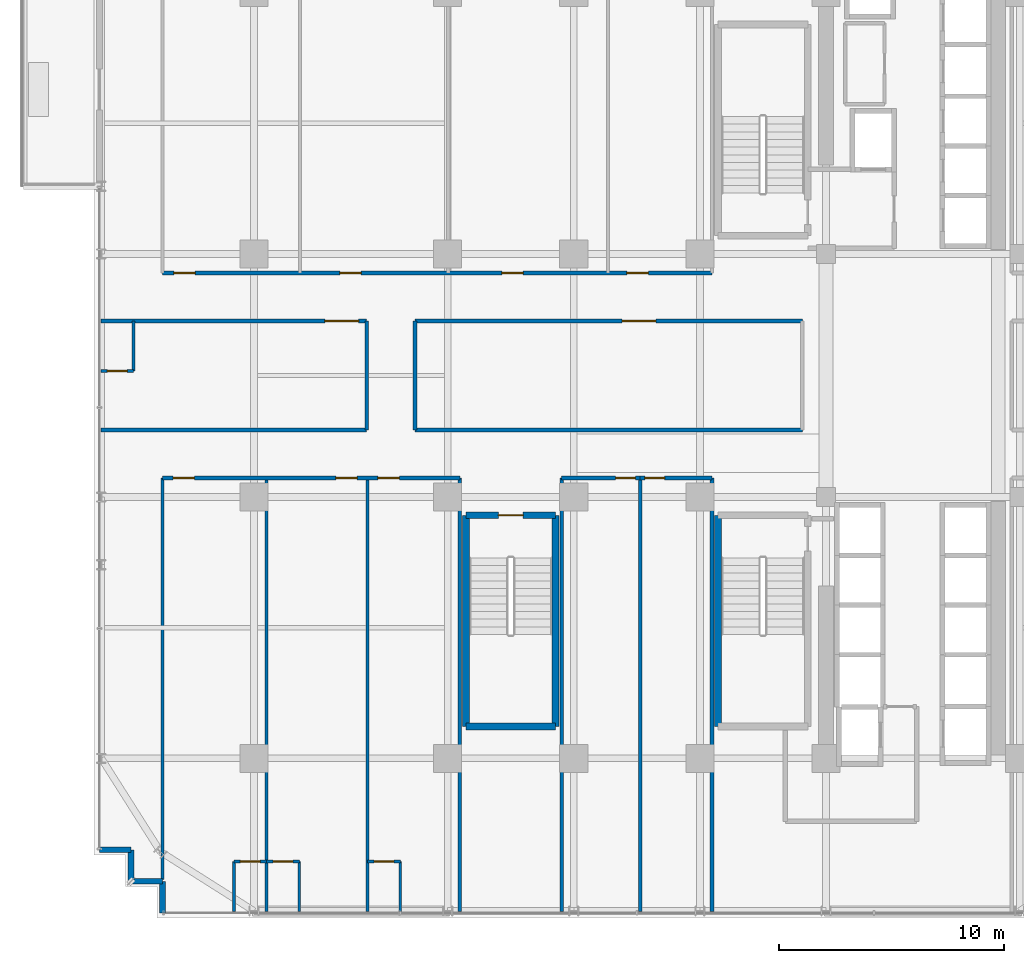
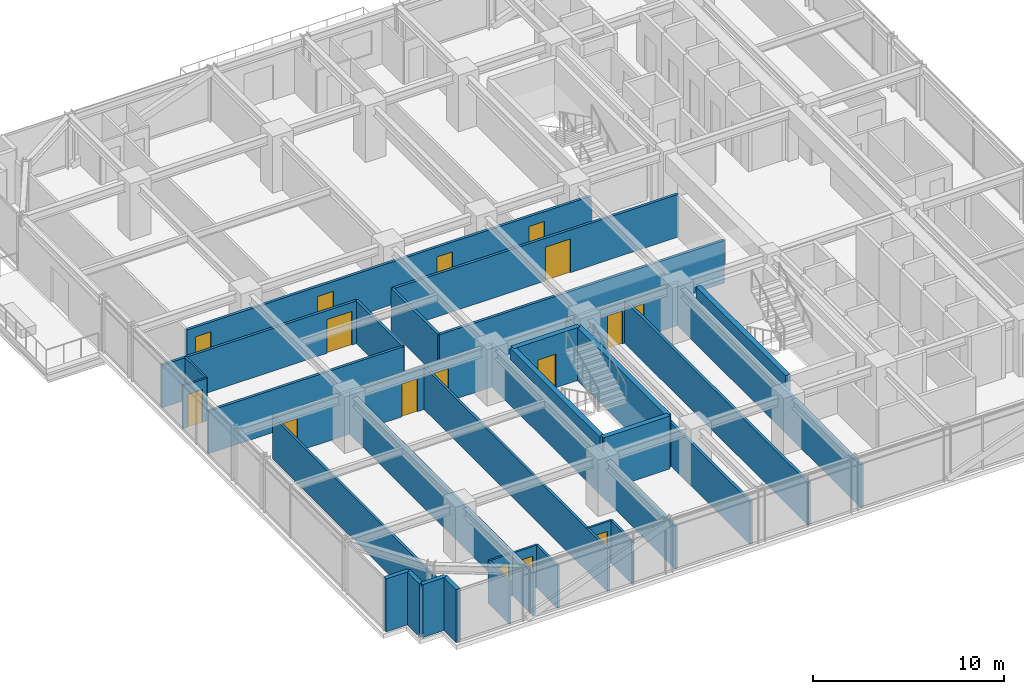
# One storey, part 32 of 39: 34 walls, 16 doors, 16 openings.
"""IFC4 building model written with IfcOpenShell, lengths in metres."""

from ifc_helpers import new_model, si_unit, direction, frame, frame_2d, origin, place, context, subcontext, project, spatial, rectangle, extrude, source, transform, mapped, material, layer, layer_set, type_object, element, fill, save


model = new_model("IFC4")

# Units and contexts
model_context = context("Model", 3, precision=1e-05, world=origin(), true_north=direction((0.0, 1.0)))
body_context = subcontext(model_context, "Body", "Model", "MODEL_VIEW")
ifc_project = project(units=[si_unit("LENGTHUNIT", "METRE"), si_unit("AREAUNIT", "SQUARE_METRE"), si_unit("VOLUMEUNIT", "CUBIC_METRE"), si_unit("PLANEANGLEUNIT", "RADIAN"), si_unit("MASSUNIT", "GRAM", prefix="KILO")], contexts=[model_context])

# Site, building, storey
site_placement = place(None, origin())
site = spatial("IfcSite", under=ifc_project, at=site_placement, CompositionType="ELEMENT")
building_placement = place(site_placement, origin())
building = spatial("IfcBuilding", under=site, at=building_placement, Name="Nahalor Promenade Grand Hotel", CompositionType="ELEMENT")
storey_placement = place(building_placement, frame((0.0, 0.0, 135.75)))
storey = spatial("IfcBuildingStorey", under=building, at=storey_placement, Name="L34", CompositionType="ELEMENT", Elevation=135.75)

# Wall
ifc_material_1 = material(Name="Concrete B-50 (C40/50)", Category="concrete")
ifc_layer_1 = layer(ifc_material_1, 0.300048828125)
ifc_layer_set_1 = layer_set([ifc_layer_1], Name="Concrete B-50 (C40/50)")
wall_type_1 = type_object("IfcWallType", Name="Wall-ShaftShear-300", PredefinedType="SHEAR", material=ifc_layer_set_1)
shared_shape_1 = source(origin(), body_context, "Body", "SweptSolid", [
    extrude(rectangle(XDim=3.97998046875, YDim=0.300048828125, at=frame_2d((1.989990234375, 0.0))), origin(), (0.0, 0.0, 1.0), 3.3798828125),
])
wall_1_placement = place(storey_placement, frame((-7.590087890625, -15.590087890625, 0.0), z_axis=(0.0, 0.0, 1.0), x_axis=(1.0, 0.0, 0.0)))
element("IfcWall", 1, at=wall_1_placement, inside=storey, type_object=wall_type_1, Name="L34 Exit Stair ST3 Shaft Wall S", PredefinedType="SHEAR", context=body_context, shape_type="MappedRepresentation", body=[
    mapped(shared_shape_1, transform((0.0, 0.0, 0.0), scale=1.0)),
])

# Wall, opening, door
wall_2_placement = place(storey_placement, frame((-7.590087890625, -6.2099609375, 0.0), z_axis=(0.0, 0.0, 1.0), x_axis=(1.0, 0.0, 0.0)))
wall_2 = element("IfcWall", 2, at=wall_2_placement, inside=storey, type_object=wall_type_1, Name="L34 Exit Stair ST3 Shaft Wall N", PredefinedType="SHEAR", context=body_context, shape_type="MappedRepresentation", body=[
    mapped(shared_shape_1, transform((0.0, 0.0, 0.0), scale=1.0)),
])
opening_1_placement = place(wall_2_placement, frame((1.43994140625, 0.0, 0.0)))
opening_1 = element("IfcOpeningElement", 3, at=opening_1_placement, cuts=wall_2, Name="Opening D-ST1", PredefinedType="OPENING", context=body_context, shape_type="SweptSolid", body=[
    extrude(rectangle(XDim=1.10009765625, YDim=2.14990234375, at=frame_2d((0.550048828125, 1.074951171875))), frame((0.0, 0.159912109375, 0.0), z_axis=(0.0, -1.0, 0.0), x_axis=(1.0, 0.0, 0.0)), (0.0, 0.0, 1.0), 0.320068359375),
])
ifc_material_2 = material(Name="Steel S355JR", Category="steel")
door_type_1 = type_object("IfcDoorType", Name="Door-StairFire-1100", OperationType="NOTDEFINED", PredefinedType="DOOR", material=ifc_material_2)
shared_shape_2 = source(origin(), body_context, "Body", "SweptSolid", [
    extrude(rectangle(XDim=1.10009765625, YDim=2.14990234375, at=frame_2d((0.550048828125, 1.074951171875))), frame((0.0, 0.02490234375, 0.0), z_axis=(0.0, -1.0, 0.0), x_axis=(1.0, 0.0, 0.0)), (0.0, 0.0, 1.0), 0.050048828125),
])
door_1_placement = place(opening_1_placement, frame((1.10009765625, 0.0, 0.0), z_axis=(0.0, 0.0, 1.0), x_axis=(-1.0, 0.0, 0.0)))
door_1 = element("IfcDoor", 4, at=door_1_placement, inside=storey, type_object=door_type_1, Name="DR-STAIR-ST3-L34", OperationType="SINGLE_SWING_LEFT", OverallHeight=2.14990234375, OverallWidth=1.10009765625, PredefinedType="DOOR", context=body_context, shape_type="MappedRepresentation", body=[
    mapped(shared_shape_2, transform((0.0, 0.0, 0.0), scale=1.0)),
])
fill(opening_1, door_1)

# Walls
shared_shape_3 = source(origin(), body_context, "Body", "SweptSolid", [
    extrude(rectangle(XDim=9.380126953125, YDim=0.300048828125, at=frame_2d((4.68994140625, 0.0))), origin(), (0.0, 0.0, 1.0), 3.3798828125),
])
for number, where, z_axis, x_axis, name in (
    (5, (3.610107421875, -15.590087890625, 0.0), (0.0, 0.0, 1.0), (0.0, 1.0, 0.0), "L34 Exit Stair ST2 Shaft Wall W"),
    (6, (-7.590087890625, -15.590087890625, 0.0), (0.0, 0.0, 1.0), (0.0, 1.0, 0.0), "L34 Exit Stair ST3 Shaft Wall W"),
    (7, (-3.610107421875, -15.590087890625, 0.0), (0.0, 0.0, 1.0), (0.0, 1.0, 0.0), "L34 Exit Stair ST3 Shaft Wall E"),
):
    element("IfcWall", number, at=place(storey_placement, frame(where, z_axis=z_axis, x_axis=x_axis)), inside=storey, type_object=wall_type_1, Name=name, PredefinedType="SHEAR", context=body_context, shape_type="MappedRepresentation", body=[
        mapped(shared_shape_3, transform((0.0, 0.0, 0.0), scale=1.0)),
    ])
ifc_material_3 = material(Name="Concrete B-40 (C32/40)", Category="concrete")
ifc_layer_2 = layer(ifc_material_3, 0.25)
ifc_layer_set_2 = layer_set([ifc_layer_2], Name="Concrete B-40 (C32/40)")
wall_type_2 = type_object("IfcWallType", Name="Wall-BronzePier-250", PredefinedType="STANDARD", material=ifc_layer_set_2)
shared_shape_4 = source(origin(), body_context, "Body", "SweptSolid", [
    extrude(rectangle(XDim=1.400146484375, YDim=0.25, at=frame_2d((0.7001953125, 0.0))), origin(), (0.0, 0.0, 1.0), 3.3798828125),
])
for number, where, z_axis, x_axis, name in (
    (8, (-23.860107421875, -21.06005859375, 0.0), (0.0, 0.0, 1.0), (1.0, 0.0, 0.0), "W-L34-SR-13"),
    (9, (-21.06005859375, -23.860107421875, 0.0), (0.0, 0.0, 1.0), (0.0, 1.0, 0.0), "W-L34-SR-16"),
):
    element("IfcWall", number, at=place(storey_placement, frame(where, z_axis=z_axis, x_axis=x_axis)), inside=storey, type_object=wall_type_2, Name=name, PredefinedType="STANDARD", context=body_context, shape_type="MappedRepresentation", body=[
        mapped(shared_shape_4, transform((0.0, 0.0, 0.0), scale=1.0)),
    ])
shared_shape_5 = source(origin(), body_context, "Body", "SweptSolid", [
    extrude(rectangle(XDim=1.39990234375, YDim=0.25, at=frame_2d((0.699951171875, 0.0))), origin(), (0.0, 0.0, 1.0), 3.3798828125),
])
for number, where, z_axis, x_axis, name in (
    (10, (-22.4599609375, -22.4599609375, 0.0), (0.0, 0.0, 1.0), (0.0, 1.0, 0.0), "W-L34-SR-14"),
    (11, (-22.4599609375, -22.4599609375, 0.0), (0.0, 0.0, 1.0), (1.0, 0.0, 0.0), "W-L34-SR-15"),
):
    element("IfcWall", number, at=place(storey_placement, frame(where, z_axis=z_axis, x_axis=x_axis)), inside=storey, type_object=wall_type_2, Name=name, PredefinedType="STANDARD", context=body_context, shape_type="MappedRepresentation", body=[
        mapped(shared_shape_5, transform((0.0, 0.0, 0.0), scale=1.0)),
    ])
ifc_material_4 = material(Name="Acoustic Mineral Gypsum", Category="gypsum")
ifc_layer_3 = layer(ifc_material_4, 0.159912109375)
ifc_layer_set_3 = layer_set([ifc_layer_3], Name="Acoustic Mineral Gypsum")
wall_type_3 = type_object("IfcWallType", Name="Wall-PartCorridor-160", PredefinedType="PARTITIONING", material=ifc_layer_set_3)
shared_shape_6 = source(origin(), body_context, "Body", "SweptSolid", [
    extrude(rectangle(XDim=19.25, YDim=0.159912109375, at=frame_2d((9.625, 0.0))), origin(), (0.0, 0.0, 1.0), 2.719970703125),
])
for number, where, z_axis, x_axis, name in (
    (12, (-3.340087890625, -23.800048828125, 0.0), (0.0, 0.0, 1.0), (0.0, 1.0, 0.0), "W-L34-SCB1-W"),
    (13, (0.14990234375, -23.800048828125, 0.0), (0.0, 0.0, 1.0), (0.0, 1.0, 0.0), "W-L34-SCB1-E"),
    (14, (3.340087890625, -23.800048828125, 0.0), (0.0, 0.0, 1.0), (0.0, 1.0, 0.0), "W-L34-SCB2-E"),
):
    element("IfcWall", number, at=place(storey_placement, frame(where, z_axis=z_axis, x_axis=x_axis)), inside=storey, type_object=wall_type_3, Name=name, PredefinedType="PARTITIONING", context=body_context, shape_type="MappedRepresentation", body=[
        mapped(shared_shape_6, transform((0.0, 0.0, 0.0), scale=1.0)),
    ])

# Wall, openings, doors
shared_shape_7 = source(origin(), body_context, "Body", "SweptSolid", [
    extrude(rectangle(XDim=24.400146484375, YDim=0.159912109375, at=frame_2d((12.2001953125, 0.0))), origin(), (0.0, 0.0, 1.0), 2.719970703125),
])
wall_3_placement = place(storey_placement, frame((-21.06005859375, 4.550048828125, 0.0), z_axis=(0.0, 0.0, 1.0), x_axis=(1.0, 0.0, 0.0)))
wall_3 = element("IfcWall", 15, at=wall_3_placement, inside=storey, type_object=wall_type_3, Name="W-L34-CORR-N", PredefinedType="PARTITIONING", context=body_context, shape_type="MappedRepresentation", body=[
    mapped(shared_shape_7, transform((0.0, 0.0, 0.0), scale=1.0)),
])
opening_2_placement = place(wall_3_placement, frame((0.4990234375, 0.0, 0.0)))
opening_2 = element("IfcOpeningElement", 16, at=opening_2_placement, cuts=wall_3, Name="Opening D-01", PredefinedType="OPENING", context=body_context, shape_type="SweptSolid", body=[
    extrude(rectangle(XDim=0.949951171875, YDim=2.10009765625, at=frame_2d((0.47509765625, 1.050048828125))), frame((0.0, 0.08984375, 0.0), z_axis=(0.0, -1.0, 0.0), x_axis=(1.0, 0.0, 0.0)), (0.0, 0.0, 1.0), 0.179931640625),
])
opening_3_placement = place(wall_3_placement, frame((7.868896484375, 0.0, 0.0)))
opening_3 = element("IfcOpeningElement", 17, at=opening_3_placement, cuts=wall_3, Name="Opening D-01", PredefinedType="OPENING", context=body_context, shape_type="SweptSolid", body=[
    extrude(rectangle(XDim=0.949951171875, YDim=2.10009765625, at=frame_2d((0.47509765625, 1.050048828125))), frame((0.0, 0.08984375, 0.0), z_axis=(0.0, -1.0, 0.0), x_axis=(1.0, 0.0, 0.0)), (0.0, 0.0, 1.0), 0.179931640625),
])
opening_4_placement = place(wall_3_placement, frame((15.06396484375, 0.0, 0.0)))
opening_4 = element("IfcOpeningElement", 18, at=opening_4_placement, cuts=wall_3, Name="Opening D-01", PredefinedType="OPENING", context=body_context, shape_type="SweptSolid", body=[
    extrude(rectangle(XDim=0.949951171875, YDim=2.10009765625, at=frame_2d((0.47509765625, 1.050048828125))), frame((0.0, 0.08984375, 0.0), z_axis=(0.0, -1.0, 0.0), x_axis=(1.0, 0.0, 0.0)), (0.0, 0.0, 1.0), 0.179931640625),
])
opening_5_placement = place(wall_3_placement, frame((20.6220703125, 0.0, 0.0)))
opening_5 = element("IfcOpeningElement", 19, at=opening_5_placement, cuts=wall_3, Name="Opening D-01", PredefinedType="OPENING", context=body_context, shape_type="SweptSolid", body=[
    extrude(rectangle(XDim=0.949951171875, YDim=2.10009765625, at=frame_2d((0.47509765625, 1.050048828125))), frame((0.0, 0.08984375, 0.0), z_axis=(0.0, -1.0, 0.0), x_axis=(1.0, 0.0, 0.0)), (0.0, 0.0, 1.0), 0.179931640625),
])
ifc_material_5 = material(Name="Fire-Rated Timber Composite", Category="wood")
door_type_2 = type_object("IfcDoorType", Name="Door-GuestEntry-950", OperationType="NOTDEFINED", PredefinedType="DOOR", material=ifc_material_5)
shared_shape_8 = source(origin(), body_context, "Body", "SweptSolid", [
    extrude(rectangle(XDim=0.949951171875, YDim=2.10009765625, at=frame_2d((0.47509765625, 1.050048828125))), frame((0.0, 0.02490234375, 0.0), z_axis=(0.0, -1.0, 0.0), x_axis=(1.0, 0.0, 0.0)), (0.0, 0.0, 1.0), 0.050048828125),
])
door_2_placement = place(opening_2_placement, origin())
door_2 = element("IfcDoor", 20, at=door_2_placement, inside=storey, type_object=door_type_2, Name="DR-L34-N1-ENT", OperationType="SINGLE_SWING_RIGHT", OverallHeight=2.10009765625, OverallWidth=0.949951171875, PredefinedType="DOOR", context=body_context, shape_type="MappedRepresentation", body=[
    mapped(shared_shape_8, transform((0.0, 0.0, 0.0), scale=1.0)),
])
fill(opening_2, door_2)
door_3_placement = place(opening_3_placement, origin())
door_3 = element("IfcDoor", 21, at=door_3_placement, inside=storey, type_object=door_type_2, Name="DR-L34-N2-ENT", OperationType="SINGLE_SWING_RIGHT", OverallHeight=2.10009765625, OverallWidth=0.949951171875, PredefinedType="DOOR", context=body_context, shape_type="MappedRepresentation", body=[
    mapped(shared_shape_8, transform((0.0, 0.0, 0.0), scale=1.0)),
])
fill(opening_3, door_3)
door_4_placement = place(opening_4_placement, origin())
door_4 = element("IfcDoor", 22, at=door_4_placement, inside=storey, type_object=door_type_2, Name="DR-L34-N3-ENT", OperationType="SINGLE_SWING_RIGHT", OverallHeight=2.10009765625, OverallWidth=0.949951171875, PredefinedType="DOOR", context=body_context, shape_type="MappedRepresentation", body=[
    mapped(shared_shape_8, transform((0.0, 0.0, 0.0), scale=1.0)),
])
fill(opening_4, door_4)
door_5_placement = place(opening_5_placement, origin())
door_5 = element("IfcDoor", 23, at=door_5_placement, inside=storey, type_object=door_type_2, Name="DR-L34-N4-ENT", OperationType="SINGLE_SWING_RIGHT", OverallHeight=2.10009765625, OverallWidth=0.949951171875, PredefinedType="DOOR", context=body_context, shape_type="MappedRepresentation", body=[
    mapped(shared_shape_8, transform((0.0, 0.0, 0.0), scale=1.0)),
])
fill(opening_5, door_5)

# Walls
ifc_layer_4 = layer(ifc_material_4, 0.139892578125)
ifc_layer_set_4 = layer_set([ifc_layer_4], Name="Acoustic Mineral Gypsum")
wall_type_4 = type_object("IfcWallType", Name="Wall-PartSuite-140", PredefinedType="PARTITIONING", material=ifc_layer_set_4)
shared_shape_9 = source(origin(), body_context, "Body", "SweptSolid", [
    extrude(rectangle(XDim=17.829833984375, YDim=0.139892578125, at=frame_2d((8.9150390625, 0.0))), origin(), (0.0, 0.0, 1.0), 2.719970703125),
])
wall_4_placement = place(storey_placement, frame((-21.06005859375, -22.3798828125, 0.0), z_axis=(0.0, 0.0, 1.0), x_axis=(0.0, 1.0, 0.0)))
element("IfcWall", 24, at=wall_4_placement, inside=storey, type_object=wall_type_4, Name="W-L34-SW-ENDW", PredefinedType="PARTITIONING", context=body_context, shape_type="MappedRepresentation", body=[
    mapped(shared_shape_9, transform((0.0, 0.0, 0.0), scale=1.0)),
])
shared_shape_10 = source(origin(), body_context, "Body", "SweptSolid", [
    extrude(rectangle(XDim=19.25, YDim=0.139892578125, at=frame_2d((9.625, 0.0))), origin(), (0.0, 0.0, 1.0), 2.719970703125),
])
for number, where, z_axis, x_axis, name in (
    (25, (-7.860107421875, -23.800048828125, 0.0), (0.0, 0.0, 1.0), (0.0, 1.0, 0.0), "W-L34-SW-ENDE"),
    (26, (-16.43994140625, -23.800048828125, 0.0), (0.0, 0.0, 1.0), (0.0, 1.0, 0.0), "W-L34-SP-1"),
    (27, (-11.951904296875, -23.800048828125, 0.0), (0.0, 0.0, 1.0), (0.0, 1.0, 0.0), "W-L34-SP-2"),
):
    element("IfcWall", number, at=place(storey_placement, frame(where, z_axis=z_axis, x_axis=x_axis)), inside=storey, type_object=wall_type_4, Name=name, PredefinedType="PARTITIONING", context=body_context, shape_type="MappedRepresentation", body=[
        mapped(shared_shape_10, transform((0.0, 0.0, 0.0), scale=1.0)),
    ])
ifc_layer_5 = layer(ifc_material_4, 0.1201171875)
ifc_layer_set_5 = layer_set([ifc_layer_5], Name="Acoustic Mineral Gypsum")
wall_type_5 = type_object("IfcWallType", Name="Wall-PartBath-120", PredefinedType="PARTITIONING", material=ifc_layer_set_5)
shared_shape_11 = source(origin(), body_context, "Body", "SweptSolid", [
    extrude(rectangle(XDim=2.219970703125, YDim=0.1201171875, at=frame_2d((1.10986328125, 0.0))), origin(), (0.0, 0.0, 1.0), 2.719970703125),
])
for number, where, z_axis, x_axis, name in (
    (28, (-17.889892578125, -23.800048828125, 0.0), (0.0, 0.0, 1.0), (0.0, 1.0, 0.0), "W-L34-S1-BV"),
    (29, (-14.989990234375, -23.800048828125, 0.0), (0.0, 0.0, 1.0), (0.0, 1.0, 0.0), "W-L34-S2-BV"),
    (30, (-10.501953125, -23.800048828125, 0.0), (0.0, 0.0, 1.0), (0.0, 1.0, 0.0), "W-L34-S3-BV"),
    (31, (-22.35009765625, 0.199951171875, 0.0), (0.0, 0.0, 1.0), (0.0, 1.0, 0.0), "W-L34-W1-BV"),
):
    element("IfcWall", number, at=place(storey_placement, frame(where, z_axis=z_axis, x_axis=x_axis)), inside=storey, type_object=wall_type_5, Name=name, PredefinedType="PARTITIONING", context=body_context, shape_type="MappedRepresentation", body=[
        mapped(shared_shape_11, transform((0.0, 0.0, 0.0), scale=1.0)),
    ])

# Wall, opening, door
shared_shape_12 = source(origin(), body_context, "Body", "SweptSolid", [
    extrude(rectangle(XDim=1.449951171875, YDim=0.1201171875, at=frame_2d((0.72509765625, 0.0))), origin(), (0.0, 0.0, 1.0), 2.719970703125),
])
wall_5_placement = place(storey_placement, frame((-17.889892578125, -21.580078125, 0.0), z_axis=(0.0, 0.0, 1.0), x_axis=(1.0, 0.0, 0.0)))
wall_5 = element("IfcWall", 32, at=wall_5_placement, inside=storey, type_object=wall_type_5, Name="W-L34-S1-BH", PredefinedType="PARTITIONING", context=body_context, shape_type="MappedRepresentation", body=[
    mapped(shared_shape_12, transform((0.0, 0.0, 0.0), scale=1.0)),
])
opening_6_placement = place(wall_5_placement, frame((0.284912109375, 0.0, 0.0)))
opening_6 = element("IfcOpeningElement", 33, at=opening_6_placement, cuts=wall_5, Name="Opening D-03", PredefinedType="OPENING", context=body_context, shape_type="SweptSolid", body=[
    extrude(rectangle(XDim=0.8798828125, YDim=2.10009765625, at=frame_2d((0.43994140625, 1.050048828125))), frame((0.0, 0.070068359375, 0.0), z_axis=(0.0, -1.0, 0.0), x_axis=(1.0, 0.0, 0.0)), (0.0, 0.0, 1.0), 0.14013671875),
])
door_type_3 = type_object("IfcDoorType", Name="Door-BathSwing-880", OperationType="NOTDEFINED", PredefinedType="DOOR", material=ifc_material_5)
shared_shape_13 = source(origin(), body_context, "Body", "SweptSolid", [
    extrude(rectangle(XDim=0.8798828125, YDim=2.10009765625, at=frame_2d((0.43994140625, 1.050048828125))), frame((0.0, 0.02490234375, 0.0), z_axis=(0.0, -1.0, 0.0), x_axis=(1.0, 0.0, 0.0)), (0.0, 0.0, 1.0), 0.050048828125),
])
door_6_placement = place(opening_6_placement, frame((0.8798828125, 0.0, 0.0), z_axis=(0.0, 0.0, 1.0), x_axis=(-1.0, 0.0, 0.0)))
door_6 = element("IfcDoor", 34, at=door_6_placement, inside=storey, type_object=door_type_3, Name="DR-L34-S1-BATH", OperationType="SINGLE_SWING_LEFT", OverallHeight=2.10009765625, OverallWidth=0.8798828125, PredefinedType="DOOR", context=body_context, shape_type="MappedRepresentation", body=[
    mapped(shared_shape_13, transform((0.0, 0.0, 0.0), scale=1.0)),
])
fill(opening_6, door_6)

wall_6_placement = place(storey_placement, frame((-16.43994140625, -21.580078125, 0.0), z_axis=(0.0, 0.0, 1.0), x_axis=(1.0, 0.0, 0.0)))
wall_6 = element("IfcWall", 35, at=wall_6_placement, inside=storey, type_object=wall_type_5, Name="W-L34-S2-BH", PredefinedType="PARTITIONING", context=body_context, shape_type="MappedRepresentation", body=[
    mapped(shared_shape_12, transform((0.0, 0.0, 0.0), scale=1.0)),
])
opening_7_placement = place(wall_6_placement, frame((0.284912109375, 0.0, 0.0)))
opening_7 = element("IfcOpeningElement", 36, at=opening_7_placement, cuts=wall_6, Name="Opening D-03", PredefinedType="OPENING", context=body_context, shape_type="SweptSolid", body=[
    extrude(rectangle(XDim=0.8798828125, YDim=2.10009765625, at=frame_2d((0.43994140625, 1.050048828125))), frame((0.0, 0.070068359375, 0.0), z_axis=(0.0, -1.0, 0.0), x_axis=(1.0, 0.0, 0.0)), (0.0, 0.0, 1.0), 0.14013671875),
])
door_7_placement = place(opening_7_placement, frame((0.8798828125, 0.0, 0.0), z_axis=(0.0, 0.0, 1.0), x_axis=(-1.0, 0.0, 0.0)))
door_7 = element("IfcDoor", 37, at=door_7_placement, inside=storey, type_object=door_type_3, Name="DR-L34-S2-BATH", OperationType="SINGLE_SWING_LEFT", OverallHeight=2.10009765625, OverallWidth=0.8798828125, PredefinedType="DOOR", context=body_context, shape_type="MappedRepresentation", body=[
    mapped(shared_shape_13, transform((0.0, 0.0, 0.0), scale=1.0)),
])
fill(opening_7, door_7)

wall_7_placement = place(storey_placement, frame((-11.951904296875, -21.580078125, 0.0), z_axis=(0.0, 0.0, 1.0), x_axis=(1.0, 0.0, 0.0)))
wall_7 = element("IfcWall", 38, at=wall_7_placement, inside=storey, type_object=wall_type_5, Name="W-L34-S3-BH", PredefinedType="PARTITIONING", context=body_context, shape_type="MappedRepresentation", body=[
    mapped(shared_shape_12, transform((0.0, 0.0, 0.0), scale=1.0)),
])
opening_8_placement = place(wall_7_placement, frame((0.284912109375, 0.0, 0.0)))
opening_8 = element("IfcOpeningElement", 39, at=opening_8_placement, cuts=wall_7, Name="Opening D-03", PredefinedType="OPENING", context=body_context, shape_type="SweptSolid", body=[
    extrude(rectangle(XDim=0.8798828125, YDim=2.10009765625, at=frame_2d((0.43994140625, 1.050048828125))), frame((0.0, 0.070068359375, 0.0), z_axis=(0.0, -1.0, 0.0), x_axis=(1.0, 0.0, 0.0)), (0.0, 0.0, 1.0), 0.14013671875),
])
door_8_placement = place(opening_8_placement, frame((0.8798828125, 0.0, 0.0), z_axis=(0.0, 0.0, 1.0), x_axis=(-1.0, 0.0, 0.0)))
door_8 = element("IfcDoor", 40, at=door_8_placement, inside=storey, type_object=door_type_3, Name="DR-L34-S3-BATH", OperationType="SINGLE_SWING_LEFT", OverallHeight=2.10009765625, OverallWidth=0.8798828125, PredefinedType="DOOR", context=body_context, shape_type="MappedRepresentation", body=[
    mapped(shared_shape_13, transform((0.0, 0.0, 0.0), scale=1.0)),
])
fill(opening_8, door_8)

wall_8_placement = place(storey_placement, frame((-23.800048828125, 0.199951171875, 0.0), z_axis=(0.0, 0.0, 1.0), x_axis=(1.0, 0.0, 0.0)))
wall_8 = element("IfcWall", 41, at=wall_8_placement, inside=storey, type_object=wall_type_5, Name="W-L34-W1-BH", PredefinedType="PARTITIONING", context=body_context, shape_type="MappedRepresentation", body=[
    mapped(shared_shape_12, transform((0.0, 0.0, 0.0), scale=1.0)),
])
opening_9_placement = place(wall_8_placement, frame((0.284912109375, 0.0, 0.0)))
opening_9 = element("IfcOpeningElement", 42, at=opening_9_placement, cuts=wall_8, Name="Opening D-03", PredefinedType="OPENING", context=body_context, shape_type="SweptSolid", body=[
    extrude(rectangle(XDim=0.8798828125, YDim=2.10009765625, at=frame_2d((0.43994140625, 1.050048828125))), frame((0.0, 0.070068359375, 0.0), z_axis=(0.0, -1.0, 0.0), x_axis=(1.0, 0.0, 0.0)), (0.0, 0.0, 1.0), 0.14013671875),
])
door_9_placement = place(opening_9_placement, origin())
door_9 = element("IfcDoor", 43, at=door_9_placement, inside=storey, type_object=door_type_3, Name="DR-L34-W1-BATH", OperationType="SINGLE_SWING_LEFT", OverallHeight=2.10009765625, OverallWidth=0.8798828125, PredefinedType="DOOR", context=body_context, shape_type="MappedRepresentation", body=[
    mapped(shared_shape_13, transform((0.0, 0.0, 0.0), scale=1.0)),
])
fill(opening_9, door_9)

# Wall, openings, doors
shared_shape_14 = source(origin(), body_context, "Body", "SweptSolid", [
    extrude(rectangle(XDim=13.199951171875, YDim=0.159912109375, at=frame_2d((6.60009765625, 0.0))), origin(), (0.0, 0.0, 1.0), 2.719970703125),
])
wall_9_placement = place(storey_placement, frame((-21.06005859375, -4.550048828125, 0.0), z_axis=(0.0, 0.0, 1.0), x_axis=(1.0, 0.0, 0.0)))
wall_9 = element("IfcWall", 44, at=wall_9_placement, inside=storey, type_object=wall_type_3, Name="W-L34-CORR-S", PredefinedType="PARTITIONING", context=body_context, shape_type="MappedRepresentation", body=[
    mapped(shared_shape_14, transform((0.0, 0.0, 0.0), scale=1.0)),
])
opening_10_placement = place(wall_9_placement, frame((0.467041015625, 0.0, 0.0)))
opening_10 = element("IfcOpeningElement", 45, at=opening_10_placement, cuts=wall_9, Name="Opening D-01", PredefinedType="OPENING", context=body_context, shape_type="SweptSolid", body=[
    extrude(rectangle(XDim=0.949951171875, YDim=2.10009765625, at=frame_2d((0.47509765625, 1.050048828125))), frame((0.0, 0.08984375, 0.0), z_axis=(0.0, -1.0, 0.0), x_axis=(1.0, 0.0, 0.0)), (0.0, 0.0, 1.0), 0.179931640625),
])
opening_11_placement = place(wall_9_placement, frame((7.694091796875, 0.0, 0.0)))
opening_11 = element("IfcOpeningElement", 46, at=opening_11_placement, cuts=wall_9, Name="Opening D-01", PredefinedType="OPENING", context=body_context, shape_type="SweptSolid", body=[
    extrude(rectangle(XDim=0.949951171875, YDim=2.10009765625, at=frame_2d((0.47509765625, 1.050048828125))), frame((0.0, 0.08984375, 0.0), z_axis=(0.0, -1.0, 0.0), x_axis=(1.0, 0.0, 0.0)), (0.0, 0.0, 1.0), 0.179931640625),
])
opening_12_placement = place(wall_9_placement, frame((9.56396484375, 0.0, 0.0)))
opening_12 = element("IfcOpeningElement", 47, at=opening_12_placement, cuts=wall_9, Name="Opening D-01", PredefinedType="OPENING", context=body_context, shape_type="SweptSolid", body=[
    extrude(rectangle(XDim=0.949951171875, YDim=2.10009765625, at=frame_2d((0.47509765625, 1.050048828125))), frame((0.0, 0.08984375, 0.0), z_axis=(0.0, -1.0, 0.0), x_axis=(1.0, 0.0, 0.0)), (0.0, 0.0, 1.0), 0.179931640625),
])
door_10_placement = place(opening_10_placement, frame((0.949951171875, 0.0, 0.0), z_axis=(0.0, 0.0, 1.0), x_axis=(-1.0, 0.0, 0.0)))
door_10 = element("IfcDoor", 48, at=door_10_placement, inside=storey, type_object=door_type_2, Name="DR-L34-S1-ENT", OperationType="SINGLE_SWING_RIGHT", OverallHeight=2.10009765625, OverallWidth=0.949951171875, PredefinedType="DOOR", context=body_context, shape_type="MappedRepresentation", body=[
    mapped(shared_shape_8, transform((0.0, 0.0, 0.0), scale=1.0)),
])
fill(opening_10, door_10)
door_11_placement = place(opening_11_placement, frame((0.949951171875, 0.0, 0.0), z_axis=(0.0, 0.0, 1.0), x_axis=(-1.0, 0.0, 0.0)))
door_11 = element("IfcDoor", 49, at=door_11_placement, inside=storey, type_object=door_type_2, Name="DR-L34-S2-ENT", OperationType="SINGLE_SWING_RIGHT", OverallHeight=2.10009765625, OverallWidth=0.949951171875, PredefinedType="DOOR", context=body_context, shape_type="MappedRepresentation", body=[
    mapped(shared_shape_8, transform((0.0, 0.0, 0.0), scale=1.0)),
])
fill(opening_11, door_11)
door_12_placement = place(opening_12_placement, frame((0.949951171875, 0.0, 0.0), z_axis=(0.0, 0.0, 1.0), x_axis=(-1.0, 0.0, 0.0)))
door_12 = element("IfcDoor", 50, at=door_12_placement, inside=storey, type_object=door_type_2, Name="DR-L34-S3-ENT", OperationType="SINGLE_SWING_RIGHT", OverallHeight=2.10009765625, OverallWidth=0.949951171875, PredefinedType="DOOR", context=body_context, shape_type="MappedRepresentation", body=[
    mapped(shared_shape_8, transform((0.0, 0.0, 0.0), scale=1.0)),
])
fill(opening_12, door_12)

# Walls
shared_shape_15 = source(origin(), body_context, "Body", "SweptSolid", [
    extrude(rectangle(XDim=4.83984375, YDim=0.159912109375, at=frame_2d((2.419921875, 0.0))), origin(), (0.0, 0.0, 1.0), 2.719970703125),
])
for number, where, z_axis, x_axis, name in (
    (51, (-12.0, -2.419921875, 0.0), (0.0, 0.0, 1.0), (0.0, 1.0, 0.0), "W-L34-WEST-E"),
    (52, (-9.85009765625, -2.419921875, 0.0), (0.0, 0.0, 1.0), (0.0, 1.0, 0.0), "W-L34-CM1-W"),
):
    element("IfcWall", number, at=place(storey_placement, frame(where, z_axis=z_axis, x_axis=x_axis)), inside=storey, type_object=wall_type_3, Name=name, PredefinedType="PARTITIONING", context=body_context, shape_type="MappedRepresentation", body=[
        mapped(shared_shape_15, transform((0.0, 0.0, 0.0), scale=1.0)),
    ])

# Wall, opening, door
shared_shape_16 = source(origin(), body_context, "Body", "SweptSolid", [
    extrude(rectangle(XDim=3.489990234375, YDim=0.159912109375, at=frame_2d((1.7451171875, 0.0))), origin(), (0.0, 0.0, 1.0), 2.719970703125),
])
wall_10_placement = place(storey_placement, frame((-3.340087890625, -4.550048828125, 0.0), z_axis=(0.0, 0.0, 1.0), x_axis=(1.0, 0.0, 0.0)))
wall_10 = element("IfcWall", 53, at=wall_10_placement, inside=storey, type_object=wall_type_3, Name="W-L34-SCB1-N", PredefinedType="PARTITIONING", context=body_context, shape_type="MappedRepresentation", body=[
    mapped(shared_shape_16, transform((0.0, 0.0, 0.0), scale=1.0)),
])
opening_13_placement = place(wall_10_placement, frame((2.39990234375, 0.0, 0.0)))
opening_13 = element("IfcOpeningElement", 54, at=opening_13_placement, cuts=wall_10, Name="Opening D-03", PredefinedType="OPENING", context=body_context, shape_type="SweptSolid", body=[
    extrude(rectangle(XDim=0.8798828125, YDim=2.10009765625, at=frame_2d((0.43994140625, 1.050048828125))), frame((0.0, 0.08984375, 0.0), z_axis=(0.0, -1.0, 0.0), x_axis=(1.0, 0.0, 0.0)), (0.0, 0.0, 1.0), 0.179931640625),
])
door_13_placement = place(opening_13_placement, frame((0.8798828125, 0.0, 0.0), z_axis=(0.0, 0.0, 1.0), x_axis=(-1.0, 0.0, 0.0)))
door_13 = element("IfcDoor", 55, at=door_13_placement, inside=storey, type_object=door_type_3, Name="DR-L34-SCB1", OperationType="SINGLE_SWING_LEFT", OverallHeight=2.10009765625, OverallWidth=0.8798828125, PredefinedType="DOOR", context=body_context, shape_type="MappedRepresentation", body=[
    mapped(shared_shape_13, transform((0.0, 0.0, 0.0), scale=1.0)),
])
fill(opening_13, door_13)

shared_shape_17 = source(origin(), body_context, "Body", "SweptSolid", [
    extrude(rectangle(XDim=3.190185546875, YDim=0.159912109375, at=frame_2d((1.59521484375, 0.0))), origin(), (0.0, 0.0, 1.0), 2.719970703125),
])
wall_11_placement = place(storey_placement, frame((0.14990234375, -4.550048828125, 0.0), z_axis=(0.0, 0.0, 1.0), x_axis=(1.0, 0.0, 0.0)))
wall_11 = element("IfcWall", 56, at=wall_11_placement, inside=storey, type_object=wall_type_3, Name="W-L34-SCB2-N", PredefinedType="PARTITIONING", context=body_context, shape_type="MappedRepresentation", body=[
    mapped(shared_shape_17, transform((0.0, 0.0, 0.0), scale=1.0)),
])
opening_14_placement = place(wall_11_placement, frame((0.2099609375, 0.0, 0.0)))
opening_14 = element("IfcOpeningElement", 57, at=opening_14_placement, cuts=wall_11, Name="Opening D-03", PredefinedType="OPENING", context=body_context, shape_type="SweptSolid", body=[
    extrude(rectangle(XDim=0.8798828125, YDim=2.10009765625, at=frame_2d((0.43994140625, 1.050048828125))), frame((0.0, 0.08984375, 0.0), z_axis=(0.0, -1.0, 0.0), x_axis=(1.0, 0.0, 0.0)), (0.0, 0.0, 1.0), 0.179931640625),
])
door_14_placement = place(opening_14_placement, frame((0.8798828125, 0.0, 0.0), z_axis=(0.0, 0.0, 1.0), x_axis=(-1.0, 0.0, 0.0)))
door_14 = element("IfcDoor", 58, at=door_14_placement, inside=storey, type_object=door_type_3, Name="DR-L34-SCB2", OperationType="SINGLE_SWING_RIGHT", OverallHeight=2.10009765625, OverallWidth=0.8798828125, PredefinedType="DOOR", context=body_context, shape_type="MappedRepresentation", body=[
    mapped(shared_shape_13, transform((0.0, 0.0, 0.0), scale=1.0)),
])
fill(opening_14, door_14)

shared_shape_18 = source(origin(), body_context, "Body", "SweptSolid", [
    extrude(rectangle(XDim=11.800048828125, YDim=0.159912109375, at=frame_2d((5.89990234375, 0.0))), origin(), (0.0, 0.0, 1.0), 2.719970703125),
])
wall_12_placement = place(storey_placement, frame((-23.800048828125, 2.419921875, 0.0), z_axis=(0.0, 0.0, 1.0), x_axis=(1.0, 0.0, 0.0)))
wall_12 = element("IfcWall", 59, at=wall_12_placement, inside=storey, type_object=wall_type_3, Name="W-L34-WEST-N", PredefinedType="PARTITIONING", context=body_context, shape_type="MappedRepresentation", body=[
    mapped(shared_shape_18, transform((0.0, 0.0, 0.0), scale=1.0)),
])
opening_15_placement = place(wall_12_placement, frame((9.951904296875, 0.0, 0.0)))
opening_15 = element("IfcOpeningElement", 60, at=opening_15_placement, cuts=wall_12, Name="Opening D-02", PredefinedType="OPENING", context=body_context, shape_type="SweptSolid", body=[
    extrude(rectangle(XDim=1.5, YDim=2.14990234375, at=frame_2d((0.75, 1.074951171875))), frame((0.0, 0.08984375, 0.0), z_axis=(0.0, -1.0, 0.0), x_axis=(1.0, 0.0, 0.0)), (0.0, 0.0, 1.0), 0.179931640625),
])
door_type_4 = type_object("IfcDoorType", Name="Door-SuiteDouble-1500", OperationType="DOUBLE_DOOR_SINGLE_SWING", PredefinedType="DOOR", material=ifc_material_5)
shared_shape_19 = source(origin(), body_context, "Body", "SweptSolid", [
    extrude(rectangle(XDim=1.5, YDim=2.14990234375, at=frame_2d((0.75, 1.074951171875))), frame((0.0, 0.02490234375, 0.0), z_axis=(0.0, -1.0, 0.0), x_axis=(1.0, 0.0, 0.0)), (0.0, 0.0, 1.0), 0.050048828125),
])
door_15_placement = place(opening_15_placement, origin())
door_15 = element("IfcDoor", 61, at=door_15_placement, inside=storey, type_object=door_type_4, Name="DR-L34-W1-ENT", OperationType="DOUBLE_DOOR_SINGLE_SWING", OverallHeight=2.14990234375, OverallWidth=1.5, PredefinedType="DOOR", context=body_context, shape_type="MappedRepresentation", body=[
    mapped(shared_shape_19, transform((0.0, 0.0, 0.0), scale=1.0)),
])
fill(opening_15, door_15)

# Walls
wall_13_placement = place(storey_placement, frame((-23.800048828125, -2.419921875, 0.0), z_axis=(0.0, 0.0, 1.0), x_axis=(1.0, 0.0, 0.0)))
element("IfcWall", 62, at=wall_13_placement, inside=storey, type_object=wall_type_3, Name="W-L34-WEST-S", PredefinedType="PARTITIONING", context=body_context, shape_type="MappedRepresentation", body=[
    mapped(shared_shape_18, transform((0.0, 0.0, 0.0), scale=1.0)),
])
shared_shape_20 = source(origin(), body_context, "Body", "SweptSolid", [
    extrude(rectangle(XDim=17.2001953125, YDim=0.159912109375, at=frame_2d((8.60009765625, 0.0))), origin(), (0.0, 0.0, 1.0), 2.719970703125),
])
wall_14_placement = place(storey_placement, frame((-9.85009765625, -2.419921875, 0.0), z_axis=(0.0, 0.0, 1.0), x_axis=(1.0, 0.0, 0.0)))
element("IfcWall", 63, at=wall_14_placement, inside=storey, type_object=wall_type_3, Name="W-L34-CM1-S", PredefinedType="PARTITIONING", context=body_context, shape_type="MappedRepresentation", body=[
    mapped(shared_shape_20, transform((0.0, 0.0, 0.0), scale=1.0)),
])

# Wall, opening, door
wall_15_placement = place(storey_placement, frame((-9.85009765625, 2.419921875, 0.0), z_axis=(0.0, 0.0, 1.0), x_axis=(1.0, 0.0, 0.0)))
wall_15 = element("IfcWall", 64, at=wall_15_placement, inside=storey, type_object=wall_type_3, Name="W-L34-CM1-N", PredefinedType="PARTITIONING", context=body_context, shape_type="MappedRepresentation", body=[
    mapped(shared_shape_20, transform((0.0, 0.0, 0.0), scale=1.0)),
])
opening_16_placement = place(wall_15_placement, frame((9.193115234375, 0.0, 0.0)))
opening_16 = element("IfcOpeningElement", 65, at=opening_16_placement, cuts=wall_15, Name="Opening D-02", PredefinedType="OPENING", context=body_context, shape_type="SweptSolid", body=[
    extrude(rectangle(XDim=1.5, YDim=2.14990234375, at=frame_2d((0.75, 1.074951171875))), frame((0.0, 0.08984375, 0.0), z_axis=(0.0, -1.0, 0.0), x_axis=(1.0, 0.0, 0.0)), (0.0, 0.0, 1.0), 0.179931640625),
])
door_16_placement = place(opening_16_placement, frame((1.5, 0.0, 0.0), z_axis=(0.0, 0.0, 1.0), x_axis=(-1.0, 0.0, 0.0)))
door_16 = element("IfcDoor", 66, at=door_16_placement, inside=storey, type_object=door_type_4, Name="DR-L34-CM1", OperationType="DOUBLE_DOOR_SINGLE_SWING", OverallHeight=2.14990234375, OverallWidth=1.5, PredefinedType="DOOR", context=body_context, shape_type="MappedRepresentation", body=[
    mapped(shared_shape_19, transform((0.0, 0.0, 0.0), scale=1.0)),
])
fill(opening_16, door_16)

save(model, "model.ifc")
